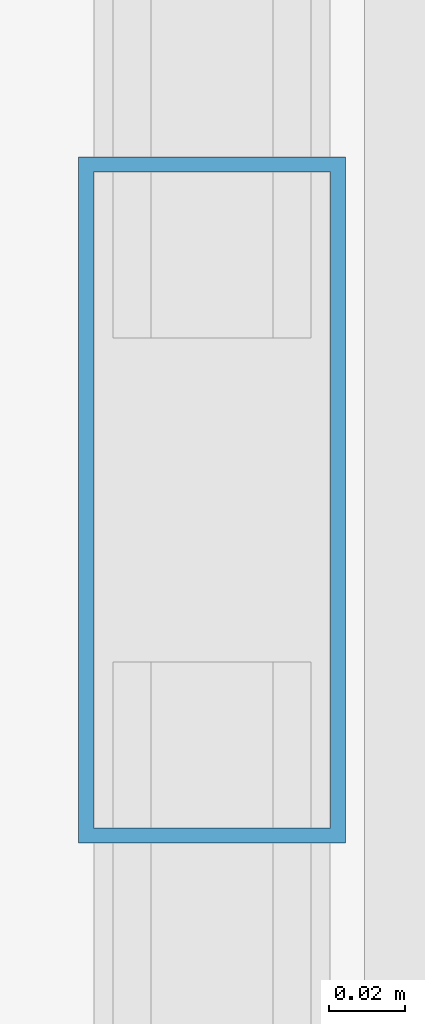
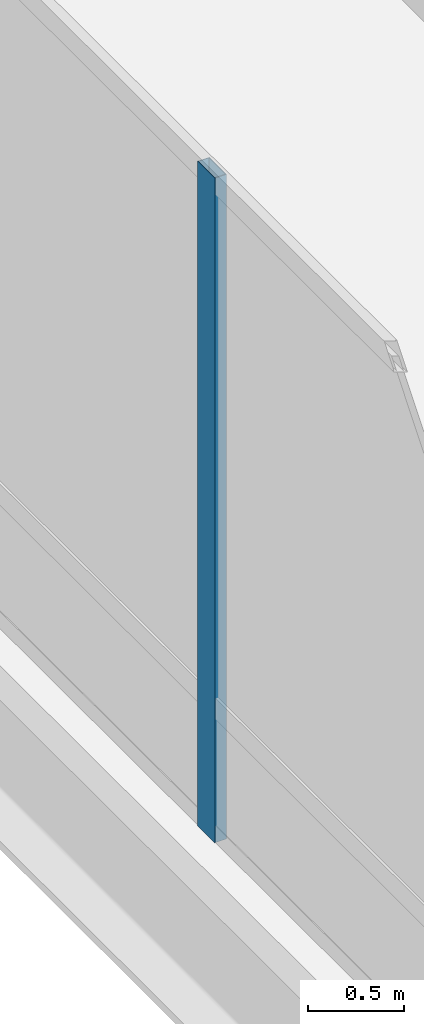
# One storey, part 5 of 25: 1 member, 1 element without a shape of its own.
"""IFC4 building model written with IfcOpenShell, lengths in metres."""

from ifc_helpers import new_model, si_unit, direction, frame, origin, origin_2d, place, context, subcontext, project, spatial, hollow_rectangle, extrude, material, material_profile, profile_set, type_object, element, aggregate, save


model = new_model("IFC4")

# Units and contexts
model_context = context("Model", 3, precision=1e-05, world=origin(), true_north=direction((0.0, 1.0)))
body_context = subcontext(model_context, "Body", "Model", "MODEL_VIEW")
ifc_project = project(units=[si_unit("LENGTHUNIT", "METRE"), si_unit("AREAUNIT", "SQUARE_METRE"), si_unit("VOLUMEUNIT", "CUBIC_METRE"), si_unit("PLANEANGLEUNIT", "RADIAN"), si_unit("MASSUNIT", "GRAM", prefix="KILO")], contexts=[model_context])

# Site, building, storey
site_placement = place(None, origin())
site = spatial("IfcSite", under=ifc_project, at=site_placement, CompositionType="ELEMENT")
building_placement = place(site_placement, origin())
building = spatial("IfcBuilding", under=site, at=building_placement, Name="Punatoya Terracotta Tower", CompositionType="ELEMENT")
storey_placement = place(building_placement, frame((0.0, 0.0, 357.300048828125)))
storey = spatial("IfcBuildingStorey", under=building, at=storey_placement, Name="L84", CompositionType="ELEMENT", Elevation=357.300048828125)

# Curtain wall, member
ifc_material_1 = material(Name="Aluminium 6063-T6 + Double Low-E Glass", Category="aluminium")
curtain_wall_type = type_object("IfcCurtainWallType", Name="CW-CRN", PredefinedType="NOTDEFINED", material=ifc_material_1)
curtain_wall_placement = place(storey_placement, origin())
curtain_wall = element("IfcCurtainWall", 1, at=curtain_wall_placement, inside=storey, type_object=curtain_wall_type, Name="L84 Curtain Wall CW-L84-W13-1", PredefinedType="NOTDEFINED")
ifc_material_2 = material(Name="Aluminium 6063-T6", Category="aluminium")
ifc_material_profile = material_profile(ifc_material_2, hollow_rectangle(XDim=0.070068359375, YDim=0.179931640625, WallThickness=0.00390625, at=origin_2d()))
ifc_profile_set = profile_set([ifc_material_profile], Name="Aluminium 6063-T6")
member_type = type_object("IfcMemberType", Name="CW-MUL-M3", PredefinedType="MULLION", material=ifc_profile_set)
member_placement = place(storey_placement, frame((-17.10009765625, 0.0, 0.0), z_axis=(0.0, 0.0, 1.0), x_axis=(1.0, 0.0, 0.0)))
member = element("IfcMember", 2, at=member_placement, type_object=member_type, Name="CW-L84-W13-1 Mullion 05", PredefinedType="MULLION", context=body_context, shape_type="SweptSolid", body=[
    extrude(hollow_rectangle(XDim=0.070068359375, YDim=0.179931640625, WallThickness=0.00390625, at=origin_2d()), origin(), (0.0, 0.0, 1.0), 4.219970703125),
])
aggregate(curtain_wall, [member])

save(model, "model.ifc")
